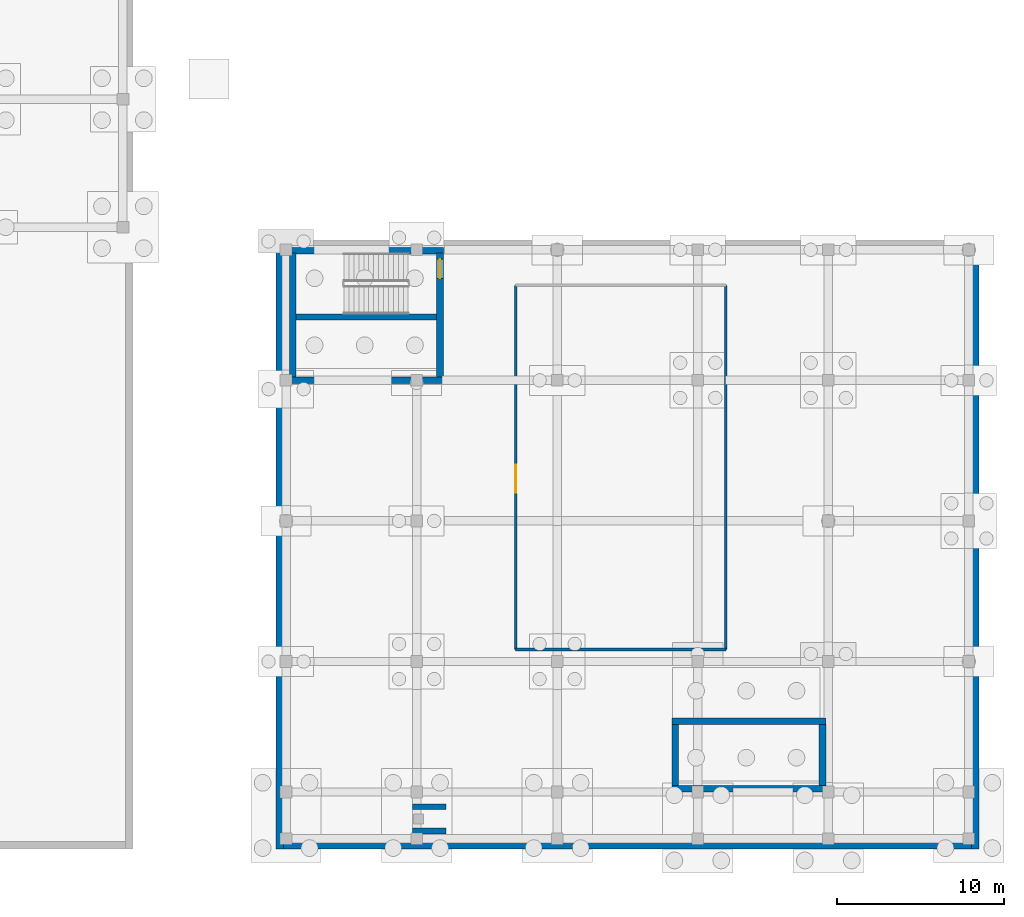
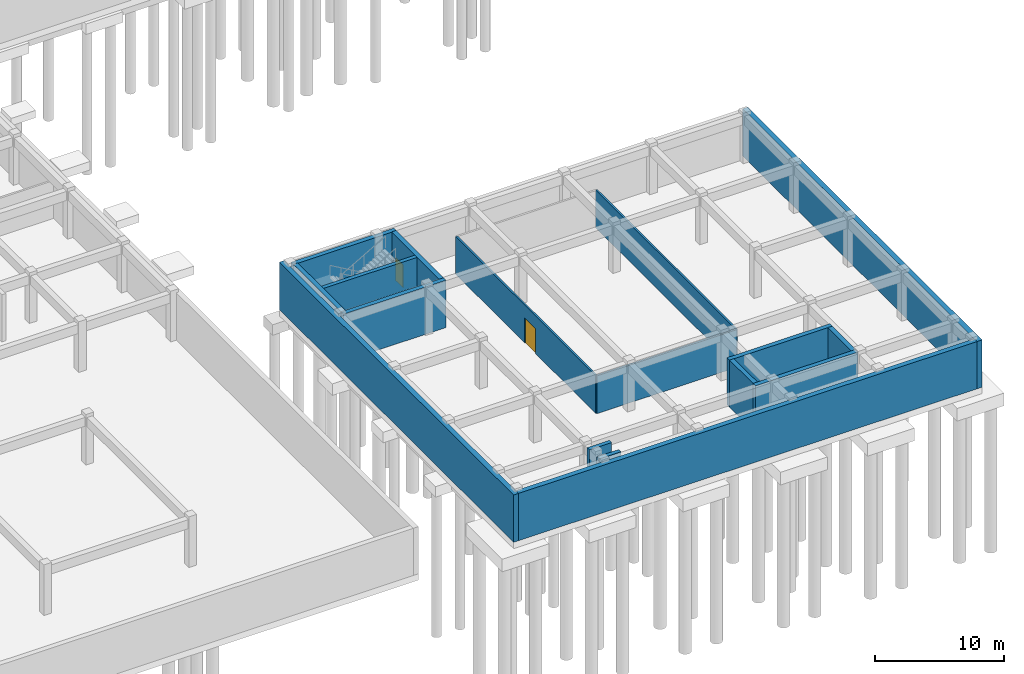
# One storey, part 23 of 35: 17 walls, 2 doors, 2 openings.
"""IFC4 building model written with IfcOpenShell, lengths in metres."""

from ifc_helpers import new_model, si_unit, direction, frame, frame_2d, origin, place, context, subcontext, project, spatial, rectangle, extrude, material, layer, layer_set, type_object, element, fill, save


model = new_model("IFC4")

# Units and contexts
model_context = context("Model", 3, precision=1e-05, world=origin(), true_north=direction((0.0, 1.0)))
body_context = subcontext(model_context, "Body", "Model", "MODEL_VIEW")
ifc_project = project(units=[si_unit("LENGTHUNIT", "METRE"), si_unit("AREAUNIT", "SQUARE_METRE"), si_unit("VOLUMEUNIT", "CUBIC_METRE"), si_unit("PLANEANGLEUNIT", "RADIAN"), si_unit("MASSUNIT", "GRAM", prefix="KILO")], contexts=[model_context])

# Site, building, storey
site_placement = place(None, origin())
site = spatial("IfcSite", under=ifc_project, at=site_placement, CompositionType="ELEMENT")
building_placement = place(site_placement, origin())
building = spatial("IfcBuilding", under=site, at=building_placement, Name="Zayran Congress Hotel", CompositionType="ELEMENT")
storey_placement = place(building_placement, frame((0.0, 0.0, -4.800048828125)))
storey = spatial("IfcBuildingStorey", under=building, at=storey_placement, Name="B1", CompositionType="ELEMENT", Elevation=-4.800048828125)

# Walls
ifc_material_1 = material(Name="Concrete C32/40", Category="concrete")
ifc_layer_1 = layer(ifc_material_1, 0.449951171875)
ifc_layer_set_1 = layer_set([ifc_layer_1], Name="Concrete C32/40")
wall_type_1 = type_object("IfcWallType", Name="WL-RT-450", PredefinedType="USERDEFINED", material=ifc_layer_set_1)
wall_1_placement = place(storey_placement, frame((192.75, 6.22509765625, 0.0), z_axis=(0.0, 0.0, 1.0), x_axis=(-1.0, 0.0, 0.0)))
element("IfcWall", 1, at=wall_1_placement, inside=storey, type_object=wall_type_1, Name="B1-V3-RW-S", ObjectType="RETAININGWALL", PredefinedType="USERDEFINED", context=body_context, shape_type="SweptSolid", body=[
    extrude(rectangle(XDim=41.10009765625, YDim=0.449951171875, at=frame_2d((20.550048828125, 0.0))), origin(), (0.0, 0.0, 1.0), 4.47998046875),
])
for number, where, z_axis, x_axis, name in (
    (2, (151.425048828125, 6.0, 0.0), (0.0, 0.0, 1.0), (0.0, 1.0, 0.0), "B1-V3-RW-W"),
    (3, (192.97509765625, 42.39990234375, 0.0), (0.0, 0.0, 1.0), (0.0, -1.0, 0.0), "B1-V3-RW-E"),
):
    element("IfcWall", number, at=place(storey_placement, frame(where, z_axis=z_axis, x_axis=x_axis)), inside=storey, type_object=wall_type_1, Name=name, ObjectType="RETAININGWALL", PredefinedType="USERDEFINED", context=body_context, shape_type="SweptSolid", body=[
        extrude(rectangle(XDim=36.39990234375, YDim=0.449951171875, at=frame_2d((18.199951171875, 0.0))), origin(), (0.0, 0.0, 1.0), 4.47998046875),
    ])
ifc_material_2 = material(Name="Concrete C40/50", Category="concrete")
ifc_layer_2 = layer(ifc_material_2, 0.39990234375)
ifc_layer_set_2 = layer_set([ifc_layer_2], Name="Concrete C40/50")
wall_type_2 = type_object("IfcWallType", Name="WL-SH-400", PredefinedType="SHEAR", material=ifc_layer_set_2)
for number, where, z_axis, x_axis, name in (
    (4, (152.0, 34.0, 0.0), (0.0, 0.0, 1.0), (1.0, 0.0, 0.0), "CWALL-C-V3W-B1-S"),
    (5, (161.199951171875, 41.75, 0.0), (0.0, 0.0, 1.0), (-1.0, 0.0, 0.0), "CWALL-C-V3W-B1-N"),
):
    element("IfcWall", number, at=place(storey_placement, frame(where, z_axis=z_axis, x_axis=x_axis)), inside=storey, type_object=wall_type_2, Name=name, PredefinedType="SHEAR", context=body_context, shape_type="SweptSolid", body=[
        extrude(rectangle(XDim=9.199951171875, YDim=0.39990234375, at=frame_2d((4.60009765625, 0.0))), origin(), (0.0, 0.0, 1.0), 4.47998046875),
    ])
wall_2_placement = place(storey_placement, frame((152.199951171875, 41.60009765625, 0.0), z_axis=(0.0, 0.0, 1.0), x_axis=(0.0, -1.0, 0.0)))
element("IfcWall", 6, at=wall_2_placement, inside=storey, type_object=wall_type_2, Name="CWALL-C-V3W-B1-W", PredefinedType="SHEAR", context=body_context, shape_type="SweptSolid", body=[
    extrude(rectangle(XDim=7.400146484375, YDim=0.39990234375, at=frame_2d((3.7001953125, 0.0))), origin(), (0.0, 0.0, 1.0), 4.47998046875),
])

# Wall, opening, door
wall_3_placement = place(storey_placement, frame((161.0, 34.199951171875, 0.0), z_axis=(0.0, 0.0, 1.0), x_axis=(0.0, 1.0, 0.0)))
wall_3 = element("IfcWall", 7, at=wall_3_placement, inside=storey, type_object=wall_type_2, Name="CWALL-C-V3W-B1-E", PredefinedType="SHEAR", context=body_context, shape_type="SweptSolid", body=[
    extrude(rectangle(XDim=7.400146484375, YDim=0.39990234375, at=frame_2d((3.7001953125, 0.0))), origin(), (0.0, 0.0, 1.0), 4.47998046875),
])
opening_1_placement = place(wall_3_placement, frame((5.89990234375, 0.0, 0.0)))
opening_1 = element("IfcOpeningElement", 8, at=opening_1_placement, cuts=wall_3, Name="Opening DR-FD-90", PredefinedType="OPENING", context=body_context, shape_type="SweptSolid", body=[
    extrude(rectangle(XDim=1.14990234375, YDim=2.199951171875, at=frame_2d((0.574951171875, 1.10009765625))), frame((0.0, 0.2099609375, 0.0), z_axis=(0.0, -1.0, 0.0), x_axis=(1.0, 0.0, 0.0)), (0.0, 0.0, 1.0), 0.419921875),
])
ifc_material_3 = material(Name="Painted steel fire door assembly", Category="steel")
door_type_1 = type_object("IfcDoorType", Name="TP-DR-FD-90", OperationType="NOTDEFINED", PredefinedType="DOOR", material=ifc_material_3)
door_1_placement = place(opening_1_placement, origin())
door_1 = element("IfcDoor", 9, at=door_1_placement, inside=storey, type_object=door_type_1, Name="ST-11 Exit Stair Door B1", OperationType="SINGLE_SWING_LEFT", OverallHeight=2.199951171875, OverallWidth=1.14990234375, PredefinedType="DOOR", context=body_context, shape_type="SweptSolid", body=[
    extrude(rectangle(XDim=1.14990234375, YDim=2.199951171875, at=frame_2d((0.574951171875, 1.10009765625))), frame((0.0, 0.02490234375, 0.0), z_axis=(0.0, -1.0, 0.0), x_axis=(1.0, 0.0, 0.0)), (0.0, 0.0, 1.0), 0.050048828125),
])
fill(opening_1, door_1)

# Walls
for number, where, z_axis, x_axis, name in (
    (10, (174.85009765625, 9.60009765625, 0.0), (0.0, 0.0, 1.0), (1.0, 0.0, 0.0), "CWALL-C-V3E-B1-S"),
    (11, (184.050048828125, 13.625, 0.0), (0.0, 0.0, 1.0), (-1.0, 0.0, 0.0), "CWALL-C-V3E-B1-N"),
):
    element("IfcWall", number, at=place(storey_placement, frame(where, z_axis=z_axis, x_axis=x_axis)), inside=storey, type_object=wall_type_2, Name=name, PredefinedType="SHEAR", context=body_context, shape_type="SweptSolid", body=[
        extrude(rectangle(XDim=9.199951171875, YDim=0.39990234375, at=frame_2d((4.60009765625, 0.0))), origin(), (0.0, 0.0, 1.0), 4.47998046875),
    ])
for number, where, z_axis, x_axis, name in (
    (12, (175.050048828125, 13.43994140625, 0.0), (0.0, 0.0, 1.0), (0.0, -1.0, 0.0), "CWALL-C-V3E-B1-W"),
    (13, (183.85009765625, 9.800048828125, 0.0), (0.0, 0.0, 1.0), (0.0, 1.0, 0.0), "CWALL-C-V3E-B1-E"),
):
    element("IfcWall", number, at=place(storey_placement, frame(where, z_axis=z_axis, x_axis=x_axis)), inside=storey, type_object=wall_type_2, Name=name, PredefinedType="SHEAR", context=body_context, shape_type="SweptSolid", body=[
        extrude(rectangle(XDim=3.639892578125, YDim=0.39990234375, at=frame_2d((1.81982421875, 0.0))), origin(), (0.0, 0.0, 1.0), 4.47998046875),
    ])
ifc_layer_3 = layer(ifc_material_2, 0.35009765625)
ifc_layer_set_3 = layer_set([ifc_layer_3], Name="Concrete C40/50")
wall_type_3 = type_object("IfcWallType", Name="WL-SH-350", PredefinedType="SHEAR", material=ifc_layer_set_3)
wall_4_placement = place(storey_placement, frame((152.39990234375, 37.784912109375, 0.0), z_axis=(0.0, 0.0, 1.0), x_axis=(1.0, 0.0, 0.0)))
element("IfcWall", 14, at=wall_4_placement, inside=storey, type_object=wall_type_3, Name="CWALL-C-V3W-B1-SPN", PredefinedType="SHEAR", context=body_context, shape_type="SweptSolid", body=[
    extrude(rectangle(XDim=8.400146484375, YDim=0.35009765625, at=frame_2d((4.2001953125, 0.0))), origin(), (0.0, 0.0, 1.0), 4.47998046875),
])
for number, where, z_axis, x_axis, name in (
    (15, (159.35009765625, 7.074951171875, 0.0), (0.0, 0.0, 1.0), (1.0, 0.0, 0.0), "VWALL-B1SUP-05-R"),
    (16, (159.35009765625, 8.52490234375, 0.0), (0.0, 0.0, 1.0), (1.0, 0.0, 0.0), "VWALL-B1SUP-05-L"),
):
    element("IfcWall", number, at=place(storey_placement, frame(where, z_axis=z_axis, x_axis=x_axis)), inside=storey, type_object=wall_type_3, Name=name, PredefinedType="SHEAR", context=body_context, shape_type="SweptSolid", body=[
        extrude(rectangle(XDim=2.0, YDim=0.35009765625, at=frame_2d((1.0, 0.0))), origin(), (0.0, 0.0, 1.0), 4.47998046875),
    ])

# Wall, opening, door
ifc_material_4 = material(Name="Acoustic twin-stud gypsum partition", Category="gypsum")
ifc_layer_4 = layer(ifc_material_4, 0.159912109375)
ifc_layer_set_4 = layer_set([ifc_layer_4], Name="Acoustic twin-stud gypsum partition")
wall_type_4 = type_object("IfcWallType", Name="WL-PT-160", PredefinedType="PARTITIONING", material=ifc_layer_set_4)
wall_5_placement = place(storey_placement, frame((165.52001953125, 17.919921875, 0.0), z_axis=(0.0, 0.0, 1.0), x_axis=(0.0, 1.0, 0.0)))
wall_5 = element("IfcWall", 17, at=wall_5_placement, inside=storey, type_object=wall_type_4, Name="IW-B1-0384", PredefinedType="PARTITIONING", context=body_context, shape_type="SweptSolid", body=[
    extrude(rectangle(XDim=21.760009765625, YDim=0.159912109375, at=frame_2d((10.8798828125, 0.0))), origin(), (0.0, 0.0, 1.0), 3.580078125),
])
opening_2_placement = place(wall_5_placement, frame((9.373046875, 0.0, 0.0)))
opening_2 = element("IfcOpeningElement", 18, at=opening_2_placement, cuts=wall_5, Name="Opening DR-PL-01", PredefinedType="OPENING", context=body_context, shape_type="SweptSolid", body=[
    extrude(rectangle(XDim=1.64990234375, YDim=2.35009765625, at=frame_2d((0.824951171875, 1.175048828125))), frame((0.0, 0.08984375, 0.0), z_axis=(0.0, -1.0, 0.0), x_axis=(1.0, 0.0, 0.0)), (0.0, 0.0, 1.0), 0.179931640625),
])
ifc_material_5 = material(Name="Painted steel plant room double fire door", Category="steel")
door_type_2 = type_object("IfcDoorType", Name="TP-DR-PL-01", OperationType="DOUBLE_DOOR_SINGLE_SWING", PredefinedType="DOOR", material=ifc_material_5)
door_2_placement = place(opening_2_placement, origin())
door_2 = element("IfcDoor", 19, at=door_2_placement, inside=storey, type_object=door_type_2, Name="Spa Filtration and Thermal Plant B1 Door", OperationType="DOUBLE_DOOR_SINGLE_SWING", OverallHeight=2.35009765625, OverallWidth=1.64990234375, PredefinedType="DOOR", context=body_context, shape_type="SweptSolid", body=[
    extrude(rectangle(XDim=1.64990234375, YDim=2.35009765625, at=frame_2d((0.824951171875, 1.175048828125))), frame((0.0, 0.02490234375, 0.0), z_axis=(0.0, -1.0, 0.0), x_axis=(1.0, 0.0, 0.0)), (0.0, 0.0, 1.0), 0.050048828125),
])
fill(opening_2, door_2)

# Walls
wall_6_placement = place(storey_placement, frame((165.52001953125, 17.919921875, 0.0), z_axis=(0.0, 0.0, 1.0), x_axis=(1.0, 0.0, 0.0)))
element("IfcWall", 20, at=wall_6_placement, inside=storey, type_object=wall_type_4, Name="IW-B1-1645", PredefinedType="PARTITIONING", context=body_context, shape_type="SweptSolid", body=[
    extrude(rectangle(XDim=12.56005859375, YDim=0.159912109375, at=frame_2d((6.280029296875, 0.0))), origin(), (0.0, 0.0, 1.0), 3.580078125),
])
wall_7_placement = place(storey_placement, frame((178.080078125, 17.919921875, 0.0), z_axis=(0.0, 0.0, 1.0), x_axis=(0.0, 1.0, 0.0)))
element("IfcWall", 21, at=wall_7_placement, inside=storey, type_object=wall_type_4, Name="IW-B1-1647", PredefinedType="PARTITIONING", context=body_context, shape_type="SweptSolid", body=[
    extrude(rectangle(XDim=21.760009765625, YDim=0.159912109375, at=frame_2d((10.8798828125, 0.0))), origin(), (0.0, 0.0, 1.0), 3.580078125),
])

save(model, "model.ifc")
